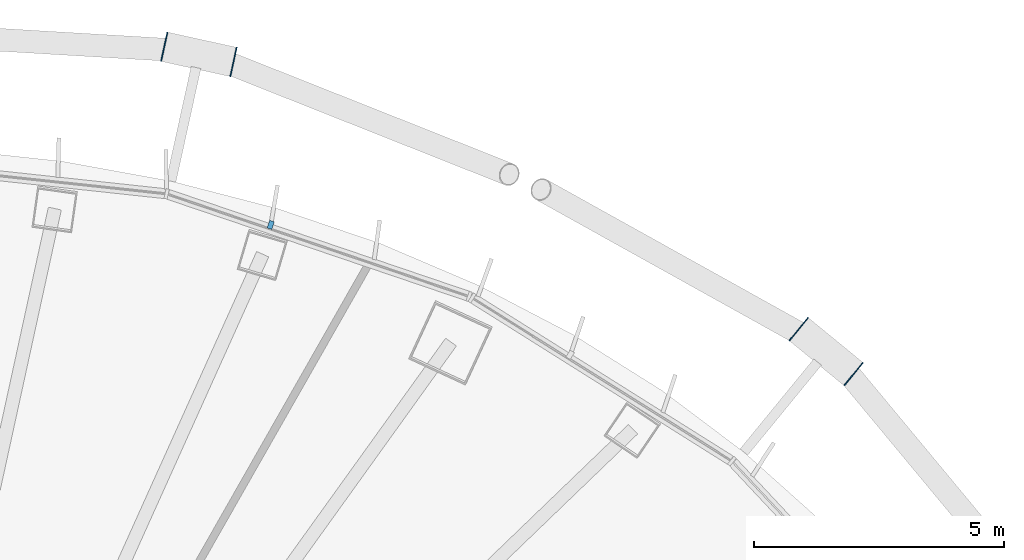
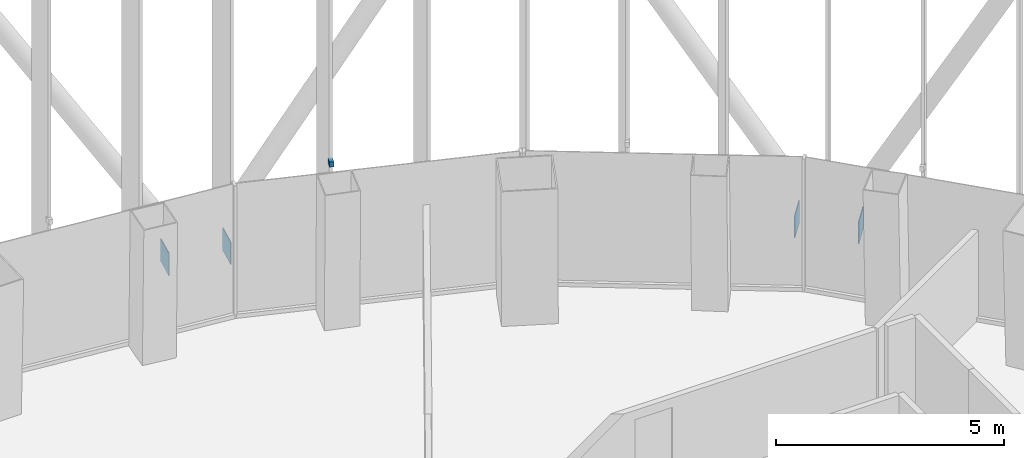
# One storey, part 15 of 19: 5 discrete accessories.
"""IFC4 building model written with IfcOpenShell, lengths in metres."""

from ifc_helpers import new_model, si_unit, direction, frame, origin, origin_2d, place, context, subcontext, project, spatial, rectangle, extrude, material, layer, layer_set, type_object, element, save


model = new_model("IFC4")

# Units and contexts
model_context = context("Model", 3, precision=1e-05, world=origin(), true_north=direction((0.0, 1.0)))
body_context = subcontext(model_context, "Body", "Model", "MODEL_VIEW")
ifc_project = project(units=[si_unit("LENGTHUNIT", "METRE"), si_unit("AREAUNIT", "SQUARE_METRE"), si_unit("VOLUMEUNIT", "CUBIC_METRE"), si_unit("PLANEANGLEUNIT", "RADIAN"), si_unit("MASSUNIT", "GRAM", prefix="KILO")], contexts=[model_context])

# Site, building, storey
site_placement = place(None, origin())
site = spatial("IfcSite", under=ifc_project, at=site_placement, CompositionType="ELEMENT")
building_placement = place(site_placement, origin())
building = spatial("IfcBuilding", under=site, at=building_placement, Name="Siaravel Broadcast Tower", CompositionType="ELEMENT")
storey_placement = place(building_placement, frame((0.0, 0.0, 119.300048828125)))
storey = spatial("IfcBuildingStorey", under=building, at=storey_placement, Name="L28", CompositionType="ELEMENT", Elevation=119.300048828125)

# Discrete accessories
ifc_material_1 = material(Name="Stainless steel 316", Category="steel")
discrete_accessory_type_1 = type_object("IfcDiscreteAccessoryType", Name="Stainless steel fin bracket", PredefinedType="USERDEFINED", material=ifc_material_1)
discrete_accessory_placement = place(storey_placement, frame((8.62353515625, 19.380859375, 3.68505859375), z_axis=(0.0, 0.0, 1.0), x_axis=(0.321300635, 0.946977245, 0.0)))
element("IfcDiscreteAccessory", 1, at=discrete_accessory_placement, inside=storey, type_object=discrete_accessory_type_1, Name="Fin bracket L28-13", ObjectType="BRACKET", PredefinedType="USERDEFINED", context=body_context, shape_type="SweptSolid", body=[
    extrude(rectangle(XDim=0.159912109375, YDim=0.10009765625, at=origin_2d()), origin(), (0.0, 0.0, 1.0), 0.139892578125),
])
ifc_material_2 = material(Name="Steel S355", Category="steel")
ifc_layer = layer(ifc_material_2, 0.02001953125)
ifc_layer_set = layer_set([ifc_layer], Name="Steel S355")
discrete_accessory_type_2 = type_object("IfcDiscreteAccessoryType", Name="Steel end plate 20 mm", PredefinedType="USERDEFINED", material=ifc_layer_set)
for number, where, z_axis, x_axis, name in (
    (2, (19.2041015625, 17.291748046875, -0.5), (0.0, 0.0, 1.0), (-0.773604694, 0.633668508, 0.0), "End plate R12 station 09A"),
    (3, (20.30224609375, 16.39208984375, -0.5), (0.0, 0.0, 1.0), (-0.773604694, 0.633668508, 0.0), "End plate R12 station 09B"),
    (4, (6.4912109375, 22.95068359375, -0.5), (0.0, 0.0, 1.0), (-0.976750917, 0.214377344, 0.0), "End plate R12 station 15A"),
    (5, (7.877685546875, 22.646240234375, -0.5), (0.0, 0.0, 1.0), (-0.976750917, 0.214377344, 0.0), "End plate R12 station 15B"),
):
    element("IfcDiscreteAccessory", number, at=place(storey_placement, frame(where, z_axis=z_axis, x_axis=x_axis)), inside=storey, type_object=discrete_accessory_type_2, Name=name, ObjectType="END PLATE", PredefinedType="USERDEFINED", context=body_context, shape_type="SweptSolid", body=[
        extrude(rectangle(XDim=0.02001953125, YDim=0.60009765625, at=origin_2d()), origin(), (0.0, 0.0, 1.0), 0.60009765625),
    ])

save(model, "model.ifc")
